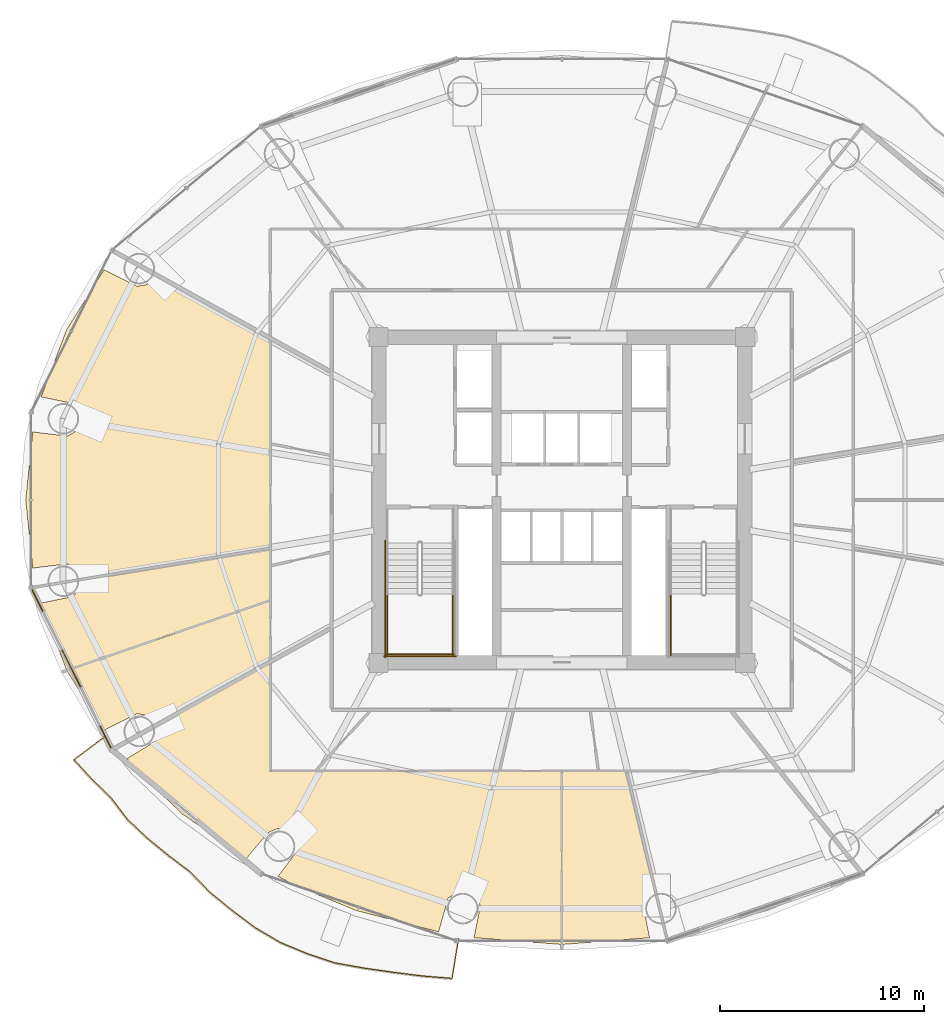
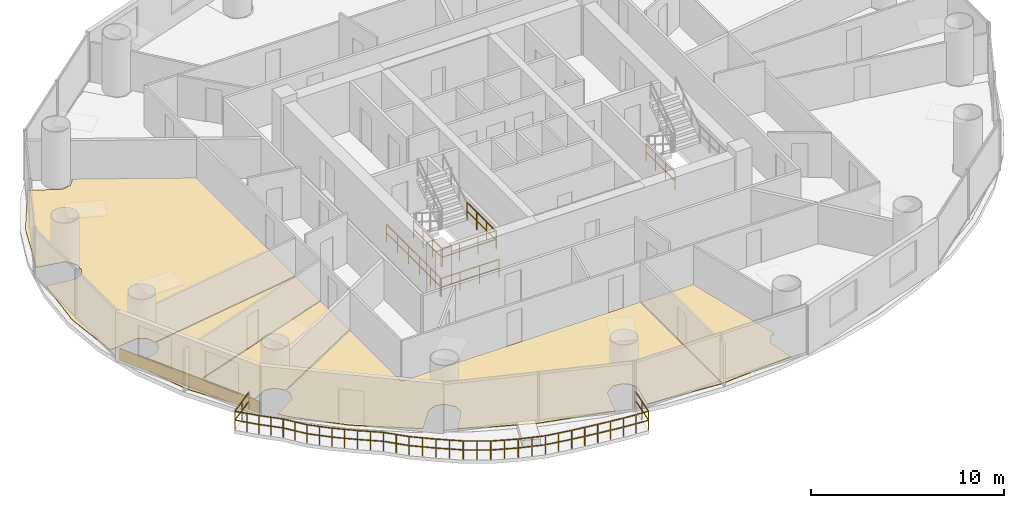
# One storey, part 26 of 29: 7 railings, 6 coverings.
"""IFC4 building model written with IfcOpenShell, lengths in metres."""

from ifc_helpers import new_model, si_unit, direction, frame, origin, origin_2d, place, context, subcontext, project, spatial, polyline, rectangle, outline, extrude, source, transform, mapped, material, layer, layer_set, type_object, element, save


model = new_model("IFC4")

# Units and contexts
model_context = context("Model", 3, precision=1e-05, world=origin(), true_north=direction((-0.2419218956, 0.970295726276)))
body_context = subcontext(model_context, "Body", "Model", "MODEL_VIEW")
ifc_project = project(units=[si_unit("LENGTHUNIT", "METRE"), si_unit("AREAUNIT", "SQUARE_METRE"), si_unit("VOLUMEUNIT", "CUBIC_METRE"), si_unit("PLANEANGLEUNIT", "RADIAN"), si_unit("MASSUNIT", "GRAM", prefix="KILO")], contexts=[model_context])

# Site, building, storey
site_placement = place(None, origin())
site = spatial("IfcSite", under=ifc_project, at=site_placement, CompositionType="ELEMENT")
building_placement = place(site_placement, origin())
building = spatial("IfcBuilding", under=site, at=building_placement, Name="Cobrevalo Terracotta Tower", CompositionType="ELEMENT")
storey_placement = place(building_placement, frame((0.0, 0.0, 126.60009765625)))
storey = spatial("IfcBuildingStorey", under=building, at=storey_placement, Name="L33", CompositionType="ELEMENT", Elevation=126.60009765625)

# Railing
ifc_material_1 = material(Name="Laminated structural glass and stainless steel", Category="steel")
railing_type_1 = type_object("IfcRailingType", Name="Balcony lobe structural glass & terracotta-cap balustrade 1180 mm", PredefinedType="BALUSTRADE", material=ifc_material_1)
railing_1_placement = place(storey_placement, frame((15.542724609375, 15.171142578125, 0.0)))
element("IfcRailing", 1, at=railing_1_placement, inside=storey, type_object=railing_type_1, Name="L33 spiralling balcony lobe balustrade 2", PredefinedType="BALUSTRADE", context=body_context, shape_type="SweptSolid", body=[
    extrude(rectangle(XDim=0.048095703125, YDim=0.048095703125, at=origin_2d()), frame((0.0, 0.0, 1.15576171875), z_axis=(-0.800094149643, -0.599874446619, 0.0), x_axis=(0.599874446619, -0.800094149643, 0.0)), (0.0, 0.0, 1.0), 1.866943359375),
    extrude(rectangle(XDim=0.048095703125, YDim=0.048095703125, at=origin_2d()), frame((0.0, 0.0, 0.58984375), z_axis=(-0.800094149643, -0.599874446619, 0.0), x_axis=(0.599874446619, -0.800094149643, 0.0)), (0.0, 0.0, 1.0), 1.866943359375),
    extrude(rectangle(XDim=0.048095703125, YDim=0.048095703125, at=origin_2d()), frame((-1.49365234375, -1.119873046875, 1.15576171875), z_axis=(0.675301327535, -0.737541942556, 0.0), x_axis=(0.737541942556, 0.675301327535, 0.0)), (0.0, 0.0, 1.0), 1.30615234375),
    extrude(rectangle(XDim=0.048095703125, YDim=0.048095703125, at=origin_2d()), frame((-1.49365234375, -1.119873046875, 0.58984375), z_axis=(0.675301327535, -0.737541942556, 0.0), x_axis=(0.737541942556, 0.675301327535, 0.0)), (0.0, 0.0, 1.0), 1.30615234375),
    extrude(rectangle(XDim=0.048095703125, YDim=0.048095703125, at=origin_2d()), frame((-0.611572265625, -2.083251953125, 1.15576171875), z_axis=(0.718281268291, -0.695752843776, 0.0), x_axis=(0.695752843776, 0.718281268291, 0.0)), (0.0, 0.0, 1.0), 1.300537109375),
    extrude(rectangle(XDim=0.048095703125, YDim=0.048095703125, at=origin_2d()), frame((-0.611572265625, -2.083251953125, 0.58984375), z_axis=(0.718281268291, -0.695752843776, 0.0), x_axis=(0.695752843776, 0.718281268291, 0.0)), (0.0, 0.0, 1.0), 1.300537109375),
    extrude(rectangle(XDim=0.048095703125, YDim=0.048095703125, at=origin_2d()), frame((0.322509765625, -2.988037109375, 1.15576171875), z_axis=(0.604350460896, -0.796718595499, 0.0), x_axis=(0.796718595499, 0.604350460896, 0.0)), (0.0, 0.0, 1.0), 1.335205078125),
    extrude(rectangle(XDim=0.048095703125, YDim=0.048095703125, at=origin_2d()), frame((0.322509765625, -2.988037109375, 0.58984375), z_axis=(0.604350460896, -0.796718595499, 0.0), x_axis=(0.796718595499, 0.604350460896, 0.0)), (0.0, 0.0, 1.0), 1.335205078125),
    extrude(rectangle(XDim=0.048095703125, YDim=0.048095703125, at=origin_2d()), frame((1.12939453125, -4.0517578125, 1.15576171875), z_axis=(0.727120159513, -0.686510213784, 0.0), x_axis=(0.686510213784, 0.727120159513, 0.0)), (0.0, 0.0, 1.0), 1.32861328125),
    extrude(rectangle(XDim=0.048095703125, YDim=0.048095703125, at=origin_2d()), frame((1.12939453125, -4.0517578125, 0.58984375), z_axis=(0.727120159513, -0.686510213784, 0.0), x_axis=(0.686510213784, 0.727120159513, 0.0)), (0.0, 0.0, 1.0), 1.32861328125),
    extrude(rectangle(XDim=0.048095703125, YDim=0.048095703125, at=origin_2d()), frame((2.095458984375, -4.9638671875, 1.15576171875), z_axis=(0.77371390746, -0.633535152461, 0.0), x_axis=(0.633535152461, 0.77371390746, 0.0)), (0.0, 0.0, 1.0), 1.341064453125),
    extrude(rectangle(XDim=0.048095703125, YDim=0.048095703125, at=origin_2d()), frame((2.095458984375, -4.9638671875, 0.58984375), z_axis=(0.77371390746, -0.633535152461, 0.0), x_axis=(0.633535152461, 0.77371390746, 0.0)), (0.0, 0.0, 1.0), 1.341064453125),
    extrude(rectangle(XDim=0.048095703125, YDim=0.048095703125, at=origin_2d()), frame((3.133056640625, -5.8134765625, 1.15576171875), z_axis=(0.797876949191, -0.602820349648, 0.0), x_axis=(0.602820349648, 0.797876949191, 0.0)), (0.0, 0.0, 1.0), 1.35546875),
    extrude(rectangle(XDim=0.048095703125, YDim=0.048095703125, at=origin_2d()), frame((3.133056640625, -5.8134765625, 0.58984375), z_axis=(0.797876949191, -0.602820349648, 0.0), x_axis=(0.602820349648, 0.797876949191, 0.0)), (0.0, 0.0, 1.0), 1.35546875),
    extrude(rectangle(XDim=0.048095703125, YDim=0.048095703125, at=origin_2d()), frame((4.214599609375, -6.630615234375, 1.15576171875), z_axis=(0.694174557694, -0.719806698671, 0.0), x_axis=(0.719806698671, 0.694174557694, 0.0)), (0.0, 0.0, 1.0), 1.390625),
    extrude(rectangle(XDim=0.048095703125, YDim=0.048095703125, at=origin_2d()), frame((4.214599609375, -6.630615234375, 0.58984375), z_axis=(0.694174557694, -0.719806698671, 0.0), x_axis=(0.719806698671, 0.694174557694, 0.0)), (0.0, 0.0, 1.0), 1.390625),
    extrude(rectangle(XDim=0.048095703125, YDim=0.048095703125, at=origin_2d()), frame((5.179931640625, -7.631591796875, 1.15576171875), z_axis=(0.775780563978, -0.631002786487, 0.0), x_axis=(0.631002786487, 0.775780563978, 0.0)), (0.0, 0.0, 1.0), 1.411376953125),
    extrude(rectangle(XDim=0.048095703125, YDim=0.048095703125, at=origin_2d()), frame((5.179931640625, -7.631591796875, 0.58984375), z_axis=(0.775780563978, -0.631002786487, 0.0), x_axis=(0.631002786487, 0.775780563978, 0.0)), (0.0, 0.0, 1.0), 1.411376953125),
    extrude(rectangle(XDim=0.048095703125, YDim=0.048095703125, at=origin_2d()), frame((6.27490234375, -8.522216796875, 1.15576171875), z_axis=(0.800144177949, -0.599807714601, 0.0), x_axis=(0.599807714601, 0.800144177949, 0.0)), (0.0, 0.0, 1.0), 1.422119140625),
    extrude(rectangle(XDim=0.048095703125, YDim=0.048095703125, at=origin_2d()), frame((6.27490234375, -8.522216796875, 0.58984375), z_axis=(0.800144177949, -0.599807714601, 0.0), x_axis=(0.599807714601, 0.800144177949, 0.0)), (0.0, 0.0, 1.0), 1.422119140625),
    extrude(rectangle(XDim=0.048095703125, YDim=0.048095703125, at=origin_2d()), frame((7.412841796875, -9.375244140625, 1.15576171875), z_axis=(0.862958022205, -0.505275619748, 0.0), x_axis=(0.505275619748, 0.862958022205, 0.0)), (0.0, 0.0, 1.0), 1.42578125),
    extrude(rectangle(XDim=0.048095703125, YDim=0.048095703125, at=origin_2d()), frame((7.412841796875, -9.375244140625, 0.58984375), z_axis=(0.862958022205, -0.505275619748, 0.0), x_axis=(0.505275619748, 0.862958022205, 0.0)), (0.0, 0.0, 1.0), 1.42578125),
    extrude(rectangle(XDim=0.048095703125, YDim=0.048095703125, at=origin_2d()), frame((8.643310546875, -10.095703125, 1.15576171875), z_axis=(0.923538347498, -0.383506089522, 0.0), x_axis=(0.383506089522, 0.923538347498, 0.0)), (0.0, 0.0, 1.0), 1.43798828125),
    extrude(rectangle(XDim=0.048095703125, YDim=0.048095703125, at=origin_2d()), frame((8.643310546875, -10.095703125, 0.58984375), z_axis=(0.923538347498, -0.383506089522, 0.0), x_axis=(0.383506089522, 0.923538347498, 0.0)), (0.0, 0.0, 1.0), 1.43798828125),
    extrude(rectangle(XDim=0.048095703125, YDim=0.048095703125, at=origin_2d()), frame((9.971435546875, -10.647216796875, 1.15576171875), z_axis=(0.948938217196, -0.315461978605, 0.0), x_axis=(0.315461978605, 0.948938217196, 0.0)), (0.0, 0.0, 1.0), 1.434814453125),
    extrude(rectangle(XDim=0.048095703125, YDim=0.048095703125, at=origin_2d()), frame((9.971435546875, -10.647216796875, 0.58984375), z_axis=(0.948938217196, -0.315461978605, 0.0), x_axis=(0.315461978605, 0.948938217196, 0.0)), (0.0, 0.0, 1.0), 1.434814453125),
    extrude(rectangle(XDim=0.048095703125, YDim=0.048095703125, at=origin_2d()), frame((11.3330078125, -11.099853515625, 1.15576171875), z_axis=(0.98468731325, -0.174329845764, 0.0), x_axis=(0.174329845764, 0.98468731325, 0.0)), (0.0, 0.0, 1.0), 1.457763671875),
    extrude(rectangle(XDim=0.048095703125, YDim=0.048095703125, at=origin_2d()), frame((11.3330078125, -11.099853515625, 0.58984375), z_axis=(0.98468731325, -0.174329845764, 0.0), x_axis=(0.174329845764, 0.98468731325, 0.0)), (0.0, 0.0, 1.0), 1.457763671875),
    extrude(rectangle(XDim=0.048095703125, YDim=0.048095703125, at=origin_2d()), frame((12.7685546875, -11.35400390625, 1.15576171875), z_axis=(0.989875272927, -0.141939931124, 0.0), x_axis=(0.141939931124, 0.989875272927, 0.0)), (0.0, 0.0, 1.0), 1.449951171875),
    extrude(rectangle(XDim=0.048095703125, YDim=0.048095703125, at=origin_2d()), frame((12.7685546875, -11.35400390625, 0.58984375), z_axis=(0.989875272927, -0.141939931124, 0.0), x_axis=(0.141939931124, 0.989875272927, 0.0)), (0.0, 0.0, 1.0), 1.449951171875),
    extrude(rectangle(XDim=0.048095703125, YDim=0.048095703125, at=origin_2d()), frame((14.203857421875, -11.559814453125, 1.15576171875), z_axis=(0.992073039018, -0.125662584942, 0.0), x_axis=(0.125662584942, 0.992073039018, 0.0)), (0.0, 0.0, 1.0), 1.439697265625),
    extrude(rectangle(XDim=0.048095703125, YDim=0.048095703125, at=origin_2d()), frame((14.203857421875, -11.559814453125, 0.58984375), z_axis=(0.992073039018, -0.125662584942, 0.0), x_axis=(0.125662584942, 0.992073039018, 0.0)), (0.0, 0.0, 1.0), 1.439697265625),
    extrude(rectangle(XDim=0.048095703125, YDim=0.048095703125, at=origin_2d()), frame((15.632080078125, -11.74072265625, 1.15576171875), z_axis=(0.996728680005, -0.080820408659, 0.0), x_axis=(0.080820408659, 0.996728680005, 0.0)), (0.0, 0.0, 1.0), 1.44384765625),
    extrude(rectangle(XDim=0.048095703125, YDim=0.048095703125, at=origin_2d()), frame((15.632080078125, -11.74072265625, 0.58984375), z_axis=(0.996728680005, -0.080820408659, 0.0), x_axis=(0.080820408659, 0.996728680005, 0.0)), (0.0, 0.0, 1.0), 1.44384765625),
    extrude(rectangle(XDim=0.048095703125, YDim=0.048095703125, at=origin_2d()), frame((17.0712890625, -11.857421875, 1.15576171875), z_axis=(0.160491819597, 0.987037170446, 0.0), x_axis=(-0.987037170446, 0.160491819597, 0.0)), (0.0, 0.0, 1.0), 1.956298828125),
    extrude(rectangle(XDim=0.048095703125, YDim=0.048095703125, at=origin_2d()), frame((17.0712890625, -11.857421875, 0.58984375), z_axis=(0.160491819597, 0.987037170446, 0.0), x_axis=(-0.987037170446, 0.160491819597, 0.0)), (0.0, 0.0, 1.0), 1.956298828125),
    extrude(rectangle(XDim=0.0419921875, YDim=0.0419921875, at=origin_2d()), origin(), (0.0, 0.0, 1.0), 1.1318359375),
    extrude(rectangle(XDim=0.0419921875, YDim=0.0419921875, at=origin_2d()), frame((-0.746826171875, -0.56005859375, 0.0)), (0.0, 0.0, 1.0), 1.1318359375),
    extrude(rectangle(XDim=0.0419921875, YDim=0.0419921875, at=origin_2d()), frame((-1.49365234375, -1.119873046875, 0.0)), (0.0, 0.0, 1.0), 1.1318359375),
    extrude(rectangle(XDim=0.0419921875, YDim=0.0419921875, at=origin_2d()), frame((-1.052734375, -1.6015625, 0.0)), (0.0, 0.0, 1.0), 1.1318359375),
    extrude(rectangle(XDim=0.0419921875, YDim=0.0419921875, at=origin_2d()), frame((-0.611572265625, -2.083251953125, 0.0)), (0.0, 0.0, 1.0), 1.1318359375),
    extrude(rectangle(XDim=0.0419921875, YDim=0.0419921875, at=origin_2d()), frame((-0.14453125, -2.53564453125, 0.0)), (0.0, 0.0, 1.0), 1.1318359375),
    extrude(rectangle(XDim=0.0419921875, YDim=0.0419921875, at=origin_2d()), frame((0.322509765625, -2.988037109375, 0.0)), (0.0, 0.0, 1.0), 1.1318359375),
    extrude(rectangle(XDim=0.0419921875, YDim=0.0419921875, at=origin_2d()), frame((0.72607421875, -3.52001953125, 0.0)), (0.0, 0.0, 1.0), 1.1318359375),
    extrude(rectangle(XDim=0.0419921875, YDim=0.0419921875, at=origin_2d()), frame((1.12939453125, -4.0517578125, 0.0)), (0.0, 0.0, 1.0), 1.1318359375),
    extrude(rectangle(XDim=0.0419921875, YDim=0.0419921875, at=origin_2d()), frame((1.6123046875, -4.5078125, 0.0)), (0.0, 0.0, 1.0), 1.1318359375),
    extrude(rectangle(XDim=0.0419921875, YDim=0.0419921875, at=origin_2d()), frame((2.095458984375, -4.9638671875, 0.0)), (0.0, 0.0, 1.0), 1.1318359375),
    extrude(rectangle(XDim=0.0419921875, YDim=0.0419921875, at=origin_2d()), frame((2.6142578125, -5.388671875, 0.0)), (0.0, 0.0, 1.0), 1.1318359375),
    extrude(rectangle(XDim=0.0419921875, YDim=0.0419921875, at=origin_2d()), frame((3.133056640625, -5.8134765625, 0.0)), (0.0, 0.0, 1.0), 1.1318359375),
    extrude(rectangle(XDim=0.0419921875, YDim=0.0419921875, at=origin_2d()), frame((3.673828125, -6.22216796875, 0.0)), (0.0, 0.0, 1.0), 1.1318359375),
    extrude(rectangle(XDim=0.0419921875, YDim=0.0419921875, at=origin_2d()), frame((4.214599609375, -6.630615234375, 0.0)), (0.0, 0.0, 1.0), 1.1318359375),
    extrude(rectangle(XDim=0.0419921875, YDim=0.0419921875, at=origin_2d()), frame((4.697265625, -7.131103515625, 0.0)), (0.0, 0.0, 1.0), 1.1318359375),
    extrude(rectangle(XDim=0.0419921875, YDim=0.0419921875, at=origin_2d()), frame((5.179931640625, -7.631591796875, 0.0)), (0.0, 0.0, 1.0), 1.1318359375),
    extrude(rectangle(XDim=0.0419921875, YDim=0.0419921875, at=origin_2d()), frame((5.7275390625, -8.076904296875, 0.0)), (0.0, 0.0, 1.0), 1.1318359375),
    extrude(rectangle(XDim=0.0419921875, YDim=0.0419921875, at=origin_2d()), frame((6.27490234375, -8.522216796875, 0.0)), (0.0, 0.0, 1.0), 1.1318359375),
    extrude(rectangle(XDim=0.0419921875, YDim=0.0419921875, at=origin_2d()), frame((6.84375, -8.94873046875, 0.0)), (0.0, 0.0, 1.0), 1.1318359375),
    extrude(rectangle(XDim=0.0419921875, YDim=0.0419921875, at=origin_2d()), frame((7.412841796875, -9.375244140625, 0.0)), (0.0, 0.0, 1.0), 1.1318359375),
    extrude(rectangle(XDim=0.0419921875, YDim=0.0419921875, at=origin_2d()), frame((8.028076171875, -9.7353515625, 0.0)), (0.0, 0.0, 1.0), 1.1318359375),
    extrude(rectangle(XDim=0.0419921875, YDim=0.0419921875, at=origin_2d()), frame((8.643310546875, -10.095703125, 0.0)), (0.0, 0.0, 1.0), 1.1318359375),
    extrude(rectangle(XDim=0.0419921875, YDim=0.0419921875, at=origin_2d()), frame((9.307373046875, -10.37158203125, 0.0)), (0.0, 0.0, 1.0), 1.1318359375),
    extrude(rectangle(XDim=0.0419921875, YDim=0.0419921875, at=origin_2d()), frame((9.971435546875, -10.647216796875, 0.0)), (0.0, 0.0, 1.0), 1.1318359375),
    extrude(rectangle(XDim=0.0419921875, YDim=0.0419921875, at=origin_2d()), frame((10.65234375, -10.87353515625, 0.0)), (0.0, 0.0, 1.0), 1.1318359375),
    extrude(rectangle(XDim=0.0419921875, YDim=0.0419921875, at=origin_2d()), frame((11.3330078125, -11.099853515625, 0.0)), (0.0, 0.0, 1.0), 1.1318359375),
    extrude(rectangle(XDim=0.0419921875, YDim=0.0419921875, at=origin_2d()), frame((12.05078125, -11.22705078125, 0.0)), (0.0, 0.0, 1.0), 1.1318359375),
    extrude(rectangle(XDim=0.0419921875, YDim=0.0419921875, at=origin_2d()), frame((12.7685546875, -11.35400390625, 0.0)), (0.0, 0.0, 1.0), 1.1318359375),
    extrude(rectangle(XDim=0.0419921875, YDim=0.0419921875, at=origin_2d()), frame((13.486328125, -11.45703125, 0.0)), (0.0, 0.0, 1.0), 1.1318359375),
    extrude(rectangle(XDim=0.0419921875, YDim=0.0419921875, at=origin_2d()), frame((14.203857421875, -11.559814453125, 0.0)), (0.0, 0.0, 1.0), 1.1318359375),
    extrude(rectangle(XDim=0.0419921875, YDim=0.0419921875, at=origin_2d()), frame((14.91796875, -11.650390625, 0.0)), (0.0, 0.0, 1.0), 1.1318359375),
    extrude(rectangle(XDim=0.0419921875, YDim=0.0419921875, at=origin_2d()), frame((15.632080078125, -11.74072265625, 0.0)), (0.0, 0.0, 1.0), 1.1318359375),
    extrude(rectangle(XDim=0.0419921875, YDim=0.0419921875, at=origin_2d()), frame((16.3515625, -11.799072265625, 0.0)), (0.0, 0.0, 1.0), 1.1318359375),
    extrude(rectangle(XDim=0.0419921875, YDim=0.0419921875, at=origin_2d()), frame((17.0712890625, -11.857421875, 0.0)), (0.0, 0.0, 1.0), 1.1318359375),
    extrude(rectangle(XDim=0.0419921875, YDim=0.0419921875, at=origin_2d()), frame((17.228271484375, -10.89208984375, 0.0)), (0.0, 0.0, 1.0), 1.1318359375),
    extrude(rectangle(XDim=0.0419921875, YDim=0.0419921875, at=origin_2d()), frame((17.38525390625, -9.926513671875, 0.0)), (0.0, 0.0, 1.0), 1.1318359375),
])

# Coverings
ifc_material_2 = material(Name="Engineered Brazilian hardwood flooring", Category="wood")
ifc_layer_1 = layer(ifc_material_2, 0.028076171875)
ifc_layer_set_1 = layer_set([ifc_layer_1], Name="Engineered Brazilian hardwood flooring")
covering_type_1 = type_object("IfcCoveringType", Name="Engineered Hardwood Suite Flooring 28", PredefinedType="FLOORING", material=ifc_layer_set_1)
covering_1_placement = place(storey_placement, origin())
element("IfcCovering", 2, at=covering_1_placement, inside=storey, type_object=covering_type_1, Name="Flat L33C Penthouse Living and Dining Room floor finish", PredefinedType="FLOORING", context=body_context, shape_type="SweptSolid", body=[
    extrude(outline(polyline([(11.68017578125, 26.800048828125), (12.024169921875, 30.143310546875), (13.73095703125, 29.932861328125), (14.1728515625, 30.189208984375), (14.353759765625, 30.481201171875), (14.38623046875, 30.9912109375), (13.99267578125, 31.537841796875), (12.435791015625, 31.859619140625), (13.682861328125, 35.14892578125), (15.525146484375, 38.10546875), (17.15966796875, 37.286376953125), (17.661865234375, 37.381103515625), (18.0703125, 37.8408203125), (23.675048828125, 34.7294921875), (23.675048828125, 24.452880859375), (14.39697265625, 22.919677734375), (14.1728515625, 23.41064453125), (13.73095703125, 23.6669921875), (12.024169921875, 23.45654296875), (11.68017578125, 26.800048828125)])), origin(), (0.0, 0.0, 1.0), 0.02978515625),
])
covering_2_placement = place(storey_placement, origin())
element("IfcCovering", 3, at=covering_2_placement, inside=storey, type_object=covering_type_1, Name="Flat L33C Master Bedroom floor finish", PredefinedType="FLOORING", context=body_context, shape_type="SweptSolid", body=[
    extrude(outline(polyline([(12.435791015625, 21.740478515625), (13.99267578125, 22.06201171875), (14.330322265625, 22.445556640625), (14.402587890625, 22.8798828125), (23.675048828125, 24.412353515625), (23.675048828125, 21.891357421875), (13.6845703125, 18.453369140625), (12.435791015625, 21.740478515625)])), origin(), (0.0, 0.0, 1.0), 0.02978515625),
])
covering_3_placement = place(storey_placement, origin())
element("IfcCovering", 4, at=covering_3_placement, inside=storey, type_object=covering_type_1, Name="Flat L33C Penthouse Family Lounge floor finish", PredefinedType="FLOORING", context=body_context, shape_type="SweptSolid", body=[
    extrude(outline(polyline([(18.0703125, 15.759033203125), (17.661865234375, 16.218994140625), (17.15966796875, 16.3134765625), (15.525146484375, 15.49462890625), (13.703125, 18.417236328125), (23.675048828125, 21.84912109375), (23.675048828125, 18.870361328125), (18.0703125, 15.759033203125)])), origin(), (0.0, 0.0, 1.0), 0.02978515625),
])
covering_4_placement = place(storey_placement, origin())
element("IfcCovering", 5, at=covering_4_placement, inside=storey, type_object=covering_type_1, Name="Flat L33D Penthouse Living and Dining Room floor finish", PredefinedType="FLOORING", context=body_context, shape_type="SweptSolid", body=[
    extrude(outline(polyline([(33.6904296875, 5.310791015625), (34.002197265625, 6.87841796875), (33.7802734375, 7.3388671875), (33.5029296875, 7.541259765625), (32.9970703125, 7.612548828125), (32.421875, 7.261962890625), (31.94921875, 5.59814453125), (27.926513671875, 6.641357421875), (24.838623046875, 7.904052734375), (24.07568359375, 8.32666015625), (24.9814453125, 9.543701171875), (24.97998046875, 10.0546875), (24.55078125, 10.573974609375), (24.04931640625, 10.672119140625), (23.577880859375, 10.474853515625), (22.511474609375, 9.193359375), (19.3876953125, 11.372314453125), (17.117919921875, 13.518310546875), (16.64697265625, 14.102294921875), (17.94091796875, 14.88720703125), (18.131591796875, 15.361328125), (18.083740234375, 15.720703125), (23.675048828125, 18.82470703125), (23.675048828125, 13.47509765625), (37.97998046875, 13.47509765625), (37.97998046875, 4.981201171875), (33.6904296875, 5.310791015625)])), origin(), (0.0, 0.0, 1.0), 0.02978515625),
])
covering_5_placement = place(storey_placement, origin())
element("IfcCovering", 6, at=covering_5_placement, inside=storey, type_object=covering_type_1, Name="Flat L33D Master Bedroom floor finish", PredefinedType="FLOORING", context=body_context, shape_type="SweptSolid", body=[
    extrude(outline(polyline([(38.02001953125, 4.981201171875), (38.02001953125, 13.47509765625), (41.169677734375, 13.47509765625), (42.5830078125, 7.5712890625), (42.2197265625, 7.3388671875), (41.997802734375, 6.87841796875), (42.3095703125, 5.310791015625), (38.02001953125, 4.981201171875)])), origin(), (0.0, 0.0, 1.0), 0.02978515625),
])

# Railings
ifc_material_3 = material(Name="Painted galvanized steel", Category="steel")
railing_type_2 = type_object("IfcRailingType", Name="Stair Well Guard Balustrade 1150", PredefinedType="GUARDRAIL", material=ifc_material_3)
for number, where, name in (
    (7, (29.425048828125, 22.179931640625, 1.7998046875), "L33 ST-1 stair guard 3"),
    (8, (32.64501953125, 22.179931640625, 1.7998046875), "L33 ST-1 stair guard 4"),
):
    element("IfcRailing", number, at=place(storey_placement, frame(where)), inside=storey, type_object=railing_type_2, Name=name, PredefinedType="GUARDRAIL", context=body_context, shape_type="SweptSolid", body=[
        extrude(rectangle(XDim=0.048095703125, YDim=0.048095703125, at=origin_2d()), frame((0.0, 0.0, 1.1259765625), z_axis=(0.0, -1.0, 0.0), x_axis=(1.0, 0.0, 0.0)), (0.0, 0.0, 1.0), 3.0048828125),
        extrude(rectangle(XDim=0.048095703125, YDim=0.048095703125, at=origin_2d()), frame((0.0, 0.0, 0.574951171875), z_axis=(0.0, -1.0, 0.0), x_axis=(1.0, 0.0, 0.0)), (0.0, 0.0, 1.0), 3.0048828125),
        extrude(rectangle(XDim=0.0419921875, YDim=0.0419921875, at=origin_2d()), origin(), (0.0, 0.0, 1.0), 1.101806640625),
        extrude(rectangle(XDim=0.0419921875, YDim=0.0419921875, at=origin_2d()), frame((0.0, -1.001708984375, 0.0)), (0.0, 0.0, 1.0), 1.101806640625),
        extrude(rectangle(XDim=0.0419921875, YDim=0.0419921875, at=origin_2d()), frame((0.0, -2.003173828125, 0.0)), (0.0, 0.0, 1.0), 1.101806640625),
        extrude(rectangle(XDim=0.0419921875, YDim=0.0419921875, at=origin_2d()), frame((0.0, -3.0048828125, 0.0)), (0.0, 0.0, 1.0), 1.101806640625),
    ])
railing_2_placement = place(storey_placement, frame((29.375, 19.22509765625, 1.7998046875)))
element("IfcRailing", 9, at=railing_2_placement, inside=storey, type_object=railing_type_2, Name="L33 ST-1 stair guard 5", PredefinedType="GUARDRAIL", context=body_context, shape_type="SweptSolid", body=[
    extrude(rectangle(XDim=0.048095703125, YDim=0.048095703125, at=origin_2d()), frame((0.0, 0.0, 1.1259765625), z_axis=(1.0, 0.0, 0.0), x_axis=(0.0, 1.0, 0.0)), (0.0, 0.0, 1.0), 3.320068359375),
    extrude(rectangle(XDim=0.048095703125, YDim=0.048095703125, at=origin_2d()), frame((0.0, 0.0, 0.574951171875), z_axis=(1.0, 0.0, 0.0), x_axis=(0.0, 1.0, 0.0)), (0.0, 0.0, 1.0), 3.320068359375),
    extrude(rectangle(XDim=0.0419921875, YDim=0.0419921875, at=origin_2d()), origin(), (0.0, 0.0, 1.0), 1.101806640625),
    extrude(rectangle(XDim=0.0419921875, YDim=0.0419921875, at=origin_2d()), frame((1.106689453125, 0.0, 0.0)), (0.0, 0.0, 1.0), 1.101806640625),
    extrude(rectangle(XDim=0.0419921875, YDim=0.0419921875, at=origin_2d()), frame((2.21337890625, 0.0, 0.0)), (0.0, 0.0, 1.0), 1.101806640625),
    extrude(rectangle(XDim=0.0419921875, YDim=0.0419921875, at=origin_2d()), frame((3.320068359375, 0.0, 0.0)), (0.0, 0.0, 1.0), 1.101806640625),
])
railing_3_placement = place(storey_placement, frame((29.324951171875, 24.800048828125, 0.0)))
element("IfcRailing", 10, at=railing_3_placement, inside=storey, type_object=railing_type_2, Name="L33 ST-1 stair guard 10", PredefinedType="GUARDRAIL", context=body_context, shape_type="SweptSolid", body=[
    extrude(rectangle(XDim=0.048095703125, YDim=0.048095703125, at=origin_2d()), frame((0.0, 0.0, 1.1259765625), z_axis=(0.0, -1.0, 0.0), x_axis=(1.0, 0.0, 0.0)), (0.0, 0.0, 1.0), 5.72509765625),
    extrude(rectangle(XDim=0.048095703125, YDim=0.048095703125, at=origin_2d()), frame((0.0, 0.0, 0.574951171875), z_axis=(0.0, -1.0, 0.0), x_axis=(1.0, 0.0, 0.0)), (0.0, 0.0, 1.0), 5.72509765625),
    extrude(rectangle(XDim=0.0419921875, YDim=0.0419921875, at=origin_2d()), origin(), (0.0, 0.0, 1.0), 1.101806640625),
    extrude(rectangle(XDim=0.0419921875, YDim=0.0419921875, at=origin_2d()), frame((0.0, -1.14501953125, 0.0)), (0.0, 0.0, 1.0), 1.101806640625),
    extrude(rectangle(XDim=0.0419921875, YDim=0.0419921875, at=origin_2d()), frame((0.0, -2.2900390625, 0.0)), (0.0, 0.0, 1.0), 1.101806640625),
    extrude(rectangle(XDim=0.0419921875, YDim=0.0419921875, at=origin_2d()), frame((0.0, -3.43505859375, 0.0)), (0.0, 0.0, 1.0), 1.101806640625),
    extrude(rectangle(XDim=0.0419921875, YDim=0.0419921875, at=origin_2d()), frame((0.0, -4.580078125, 0.0)), (0.0, 0.0, 1.0), 1.101806640625),
    extrude(rectangle(XDim=0.0419921875, YDim=0.0419921875, at=origin_2d()), frame((0.0, -5.72509765625, 0.0)), (0.0, 0.0, 1.0), 1.101806640625),
])
railing_4_placement = place(storey_placement, frame((29.27490234375, 19.125, 0.0)))
element("IfcRailing", 11, at=railing_4_placement, inside=storey, type_object=railing_type_2, Name="L33 ST-1 stair guard 12", PredefinedType="GUARDRAIL", context=body_context, shape_type="SweptSolid", body=[
    extrude(rectangle(XDim=0.048095703125, YDim=0.048095703125, at=origin_2d()), frame((0.0, 0.0, 1.1259765625), z_axis=(1.0, 0.0, 0.0), x_axis=(0.0, 1.0, 0.0)), (0.0, 0.0, 1.0), 3.52001953125),
    extrude(rectangle(XDim=0.048095703125, YDim=0.048095703125, at=origin_2d()), frame((0.0, 0.0, 0.574951171875), z_axis=(1.0, 0.0, 0.0), x_axis=(0.0, 1.0, 0.0)), (0.0, 0.0, 1.0), 3.52001953125),
    extrude(rectangle(XDim=0.0419921875, YDim=0.0419921875, at=origin_2d()), origin(), (0.0, 0.0, 1.0), 1.101806640625),
    extrude(rectangle(XDim=0.0419921875, YDim=0.0419921875, at=origin_2d()), frame((1.17333984375, 0.0, 0.0)), (0.0, 0.0, 1.0), 1.101806640625),
    extrude(rectangle(XDim=0.0419921875, YDim=0.0419921875, at=origin_2d()), frame((2.3466796875, 0.0, 0.0)), (0.0, 0.0, 1.0), 1.101806640625),
    extrude(rectangle(XDim=0.0419921875, YDim=0.0419921875, at=origin_2d()), frame((3.52001953125, 0.0, 0.0)), (0.0, 0.0, 1.0), 1.101806640625),
])
railing_5_placement = place(storey_placement, frame((43.35498046875, 22.179931640625, 1.7998046875)))
element("IfcRailing", 12, at=railing_5_placement, inside=storey, type_object=railing_type_2, Name="L33 ST-2 stair guard 3", PredefinedType="GUARDRAIL", context=body_context, shape_type="SweptSolid", body=[
    extrude(rectangle(XDim=0.048095703125, YDim=0.048095703125, at=origin_2d()), frame((0.0, 0.0, 1.1259765625), z_axis=(0.0, -1.0, 0.0), x_axis=(1.0, 0.0, 0.0)), (0.0, 0.0, 1.0), 3.0048828125),
    extrude(rectangle(XDim=0.048095703125, YDim=0.048095703125, at=origin_2d()), frame((0.0, 0.0, 0.574951171875), z_axis=(0.0, -1.0, 0.0), x_axis=(1.0, 0.0, 0.0)), (0.0, 0.0, 1.0), 3.0048828125),
    extrude(rectangle(XDim=0.0419921875, YDim=0.0419921875, at=origin_2d()), origin(), (0.0, 0.0, 1.0), 1.101806640625),
    extrude(rectangle(XDim=0.0419921875, YDim=0.0419921875, at=origin_2d()), frame((0.0, -1.001708984375, 0.0)), (0.0, 0.0, 1.0), 1.101806640625),
    extrude(rectangle(XDim=0.0419921875, YDim=0.0419921875, at=origin_2d()), frame((0.0, -2.003173828125, 0.0)), (0.0, 0.0, 1.0), 1.101806640625),
    extrude(rectangle(XDim=0.0419921875, YDim=0.0419921875, at=origin_2d()), frame((0.0, -3.0048828125, 0.0)), (0.0, 0.0, 1.0), 1.101806640625),
])

# Covering
ifc_material_4 = material(Name="Glazed terracotta facade cladding tile", Category="masonry")
ifc_layer_2 = layer(ifc_material_4, 0.044921875)
ifc_layer_set_2 = layer_set([ifc_layer_2], Name="Glazed terracotta facade cladding tile")
covering_type_2 = type_object("IfcCoveringType", Name="Architectural terracotta rainscreen spandrel cladding 45 mm", PredefinedType="CLADDING", material=ifc_layer_set_2)
shared_shape = source(origin(), body_context, "Body", "SweptSolid", [
    extrude(rectangle(XDim=8.690185546875, YDim=0.044921875, at=origin_2d()), origin(), (0.0, 0.0, 1.0), 0.760009765625),
])
covering_6_placement = place(storey_placement, frame((13.924072265625, 18.516357421875, 0.0400390625), z_axis=(0.0, 0.0, 1.0), x_axis=(0.446261852127, -0.894902430065, 0.0)))
element("IfcCovering", 13, at=covering_6_placement, inside=storey, type_object=covering_type_2, Name="L33 terracotta spandrel cladding S09", PredefinedType="CLADDING", context=body_context, shape_type="MappedRepresentation", body=[
    mapped(shared_shape, transform((0.0, 0.0, 0.0), scale=1.0)),
])

save(model, "model.ifc")
